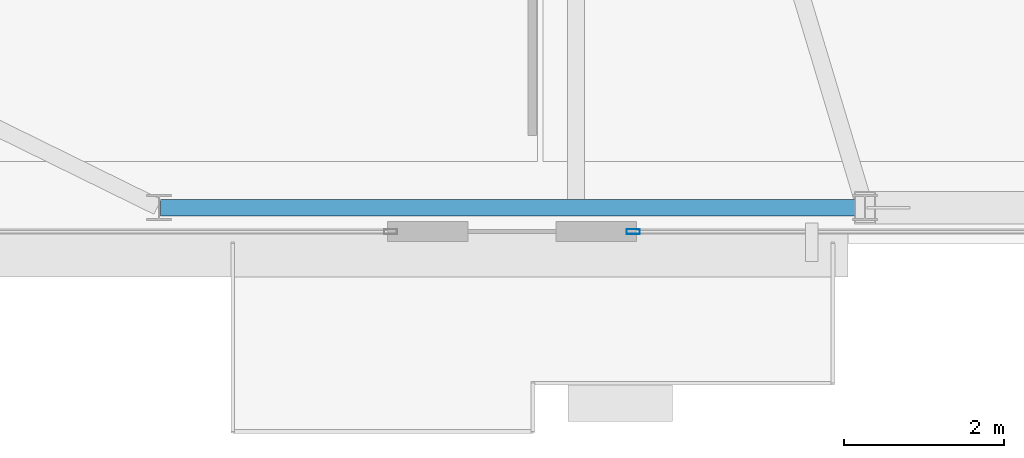
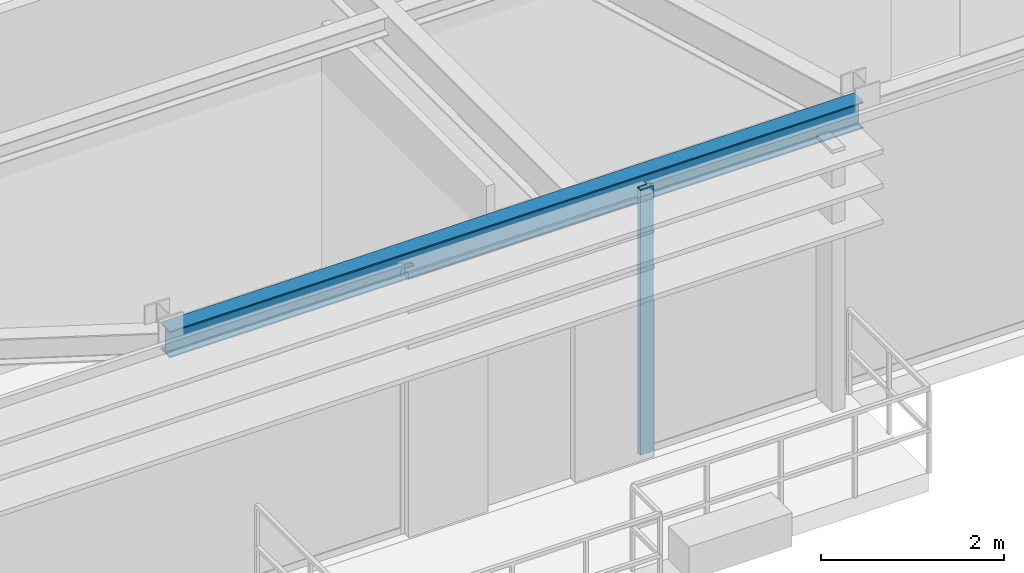
# One storey, part 5 of 25: 1 beam, 1 member, 1 element without a shape of its own.
"""IFC4 building model written with IfcOpenShell, lengths in metres."""

from ifc_helpers import new_model, si_unit, direction, frame, origin, origin_2d, place, context, subcontext, project, spatial, hollow_rectangle, i_section, extrude, source, transform, mapped, material, layer, layer_set, material_profile, profile_set, type_object, type_shapes, element, aggregate, save


model = new_model("IFC4")

# Units and contexts
model_context = context("Model", 3, precision=1e-05, world=origin(), true_north=direction((0.0, 1.0)))
body_context = subcontext(model_context, "Body", "Model", "MODEL_VIEW")
ifc_project = project(units=[si_unit("LENGTHUNIT", "METRE"), si_unit("AREAUNIT", "SQUARE_METRE"), si_unit("VOLUMEUNIT", "CUBIC_METRE"), si_unit("PLANEANGLEUNIT", "RADIAN"), si_unit("MASSUNIT", "GRAM", prefix="KILO")], contexts=[model_context])

# Site, building, storey
site_placement = place(None, origin())
site = spatial("IfcSite", under=ifc_project, at=site_placement, CompositionType="ELEMENT")
building_placement = place(site_placement, origin())
building = spatial("IfcBuilding", under=site, at=building_placement, Name="Varnel Quay Broadcast Tower", CompositionType="ELEMENT")
storey_placement = place(building_placement, frame((0.0, 0.0, 288.800048828125)))
storey = spatial("IfcBuildingStorey", under=building, at=storey_placement, Name="L72", CompositionType="ELEMENT", Elevation=288.800048828125)

# Beam
ifc_material_1 = material(Name="Structural Steel CSA G40.21 350W", Category="steel")
ifc_material_profile_1 = material_profile(ifc_material_1, i_section(OverallWidth=0.205078125, OverallDepth=0.35400390625, WebThickness=0.009521484375, FlangeThickness=0.016845703125, FilletRadius=0.012939453125, at=origin_2d()), Name="W360X79")
ifc_profile_set_1 = profile_set([ifc_material_profile_1], Name="Structural Steel CSA G40.21 350W")
beam_type = type_object("IfcBeamType", Name="Beam_W360X79", PredefinedType="SPANDREL", material=ifc_profile_set_1)
shared_shape_1 = source(origin(), body_context, "Body", "SweptSolid", [
    extrude(i_section(OverallWidth=0.205078125, OverallDepth=0.35400390625, WebThickness=0.009521484375, FlangeThickness=0.016845703125, FilletRadius=0.012939453125, at=origin_2d()), origin(), (0.0, 0.0, 1.0), 8.760009765625),
])
type_shapes(beam_type, [shared_shape_1])
beam_placement = place(storey_placement, frame((20.820068359375, 13.64990234375, 3.373046875), z_axis=(1.0, 0.0, 0.0), x_axis=(0.0, 1.0, 0.0)))
element("IfcBeam", 1, at=beam_placement, inside=storey, type_object=beam_type, Name="L72 South Spandrel TC-S1-TC-S2", PredefinedType="SPANDREL", context=body_context, shape_type="MappedRepresentation", body=[
    mapped(shared_shape_1, transform((0.0, 0.0, 0.0), x_axis=(1.0, 0.0, 0.0), y_axis=(0.0, 1.0, 0.0), z_axis=(0.0, 0.0, 1.0), scale=1.0)),
])

# Curtain wall, member
ifc_material_2 = material(Name="Anodised Bronze Aluminium 6063-T6", Category="aluminium")
ifc_layer = layer(ifc_material_2, 0.18994140625, Name="Anodised Bronze Aluminium 6063-T6")
ifc_layer_set = layer_set([ifc_layer], Name="Anodised Bronze Aluminium 6063-T6")
curtain_wall_type = type_object("IfcCurtainWallType", Name="CW_UpperTower", PredefinedType="NOTDEFINED", material=ifc_layer_set)
curtain_wall_placement = place(storey_placement, origin())
curtain_wall = element("IfcCurtainWall", 2, at=curtain_wall_placement, inside=storey, type_object=curtain_wall_type, Name="L72 South Unitised Curtain Wall 2", PredefinedType="NOTDEFINED")
ifc_material_profile_2 = material_profile(ifc_material_2, hollow_rectangle(XDim=0.06494140625, YDim=0.1650390625, WallThickness=0.00341796875, at=origin_2d()), Name="ALU65X165X3.5")
ifc_profile_set_2 = profile_set([ifc_material_profile_2], Name="Anodised Bronze Aluminium 6063-T6")
member_type = type_object("IfcMemberType", Name="Mull_CWS-03", PredefinedType="MULLION", material=ifc_profile_set_2)
shared_shape_2 = source(origin(), body_context, "Body", "SweptSolid", [
    extrude(hollow_rectangle(XDim=0.06494140625, YDim=0.1650390625, WallThickness=0.00341796875, at=origin_2d()), origin(), (0.0, 0.0, 1.0), 3.550048828125),
])
type_shapes(member_type, [shared_shape_2])
member_placement = place(storey_placement, frame((26.71240234375, 13.35009765625, 0.0), z_axis=(0.0, 0.0, 1.0), x_axis=(0.0, 1.0, 0.0)))
member = element("IfcMember", 3, at=member_placement, type_object=member_type, Name="CWS-03 mullion 1", PredefinedType="MULLION", context=body_context, shape_type="MappedRepresentation", body=[
    mapped(shared_shape_2, transform((0.0, 0.0, 0.0), x_axis=(1.0, 0.0, 0.0), y_axis=(0.0, 1.0, 0.0), z_axis=(0.0, 0.0, 1.0), scale=1.0)),
])
aggregate(curtain_wall, [member])

save(model, "model.ifc")
